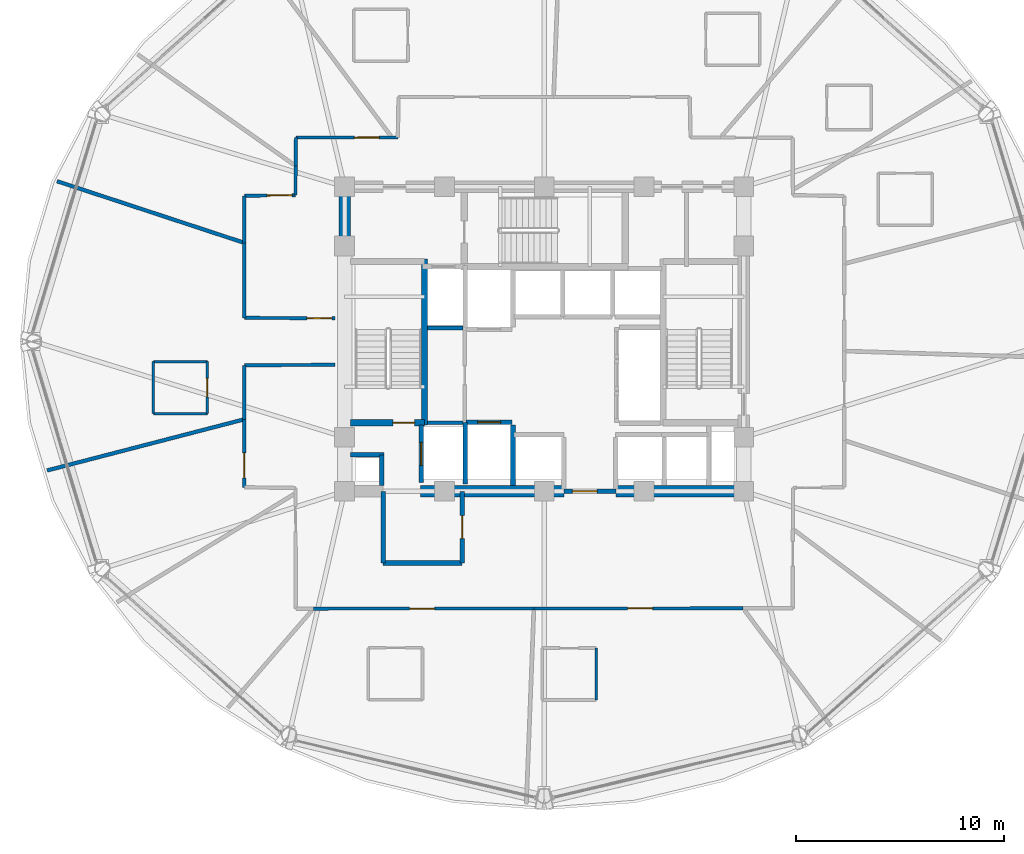
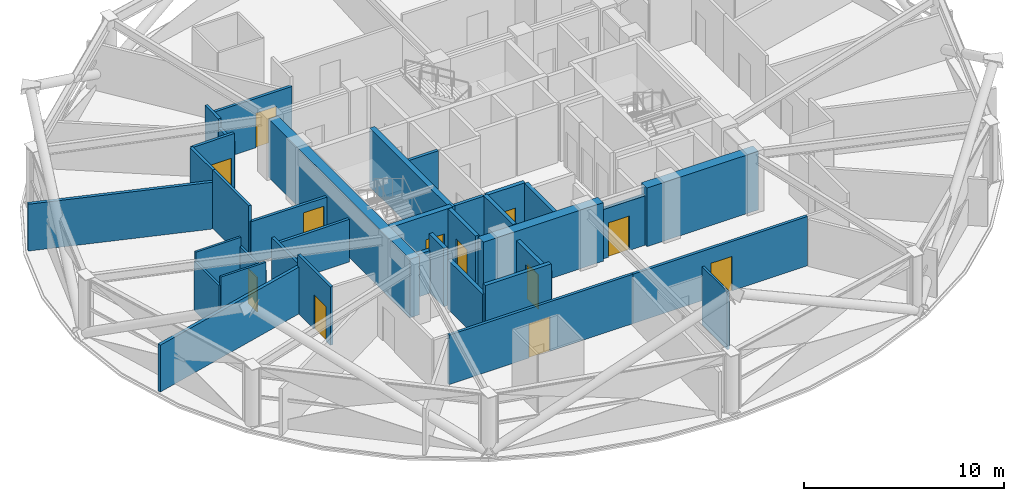
# One storey, part 22 of 29: 36 walls, 12 doors, 12 openings.
"""IFC4 building model written with IfcOpenShell, lengths in metres."""

import ifcopenshell
import ifcopenshell.guid

model = None  # the IFC model being written
_history = None  # IfcOwnerHistory: only IFC2X3 demands one
_inside = {}  # id of a spatial element -> (the spatial element, [elements in it])
_under = {}  # id of a project, library or spatial element -> (it, [spatial elements below it])
_declared = {}  # id of a project -> (the project, [libraries it declares])
_typed = {}  # id of a type object -> (the type object, [elements of that type])
_made_of = {}  # id of a material, layer set ... -> (it, [elements and type objects made of it])


def new_model(schema):
    """Start an empty IFC model of exactly this schema.

    Asked for "IFC4X3", IfcOpenShell would pick the latest addendum, in which some entities
    have other attributes; the version numbers below select the first issue.
    IFC2X3 requires an IfcOwnerHistory on every rooted entity: one is made here for all.
    """
    global model, _history
    if schema == "IFC4X3":
        model = ifcopenshell.file(schema_version=(4, 3, 0, 0))
    else:
        model = ifcopenshell.file(schema=schema)
    _inside.clear()
    _under.clear()
    _declared.clear()
    _typed.clear()
    _made_of.clear()
    _history = None
    if model.schema == "IFC2X3":
        org = make("IfcOrganization", Name="unknown")
        user = make(
            "IfcPersonAndOrganization",
            ThePerson=make("IfcPerson", FamilyName="unknown"),
            TheOrganization=org,
        )
        app = make(
            "IfcApplication",
            ApplicationDeveloper=org,
            Version="unknown",
            ApplicationFullName="unknown",
            ApplicationIdentifier="unknown",
        )
        _history = make(
            "IfcOwnerHistory",
            OwningUser=user,
            OwningApplication=app,
            ChangeAction="ADDED",
            CreationDate=0,
        )
    return model


def make(cls, **values):
    """One entity of the class cls with the attributes given. An attribute that is None is left unset."""
    return model.create_entity(
        cls, **{name: value for name, value in values.items() if value is not None}
    )


def rooted(cls, **values):
    """An entity with a GlobalId (a new one), such as an element, a storey or a relation."""
    return make(cls, GlobalId=ifcopenshell.guid.new(), OwnerHistory=_history, **values)


def si_unit(unit_type, name, prefix=None):
    """IfcSIUnit, for example si_unit("LENGTHUNIT", "METRE", prefix="MILLI")."""
    return make("IfcSIUnit", UnitType=unit_type, Prefix=prefix, Name=name)


def assignment(units):
    """IfcUnitAssignment: the units of a project."""
    return None if units is None else make("IfcUnitAssignment", Units=units)


def point(xyz):
    """IfcCartesianPoint."""
    return None if xyz is None else make("IfcCartesianPoint", Coordinates=xyz)


def direction(xyz):
    """IfcDirection."""
    return None if xyz is None else make("IfcDirection", DirectionRatios=xyz)


def frame(location, z_axis=None, x_axis=None):
    """IfcAxis2Placement3D, a coordinate frame: its origin and axes. An axis left out is left unset."""
    return make(
        "IfcAxis2Placement3D",
        Location=point(location),
        Axis=direction(z_axis),
        RefDirection=direction(x_axis),
    )


def frame_2d(location, x_axis=None):
    """IfcAxis2Placement2D, a coordinate frame in the plane: its origin and x axis."""
    return make(
        "IfcAxis2Placement2D", Location=point(location), RefDirection=direction(x_axis)
    )


def origin():
    """The frame at (0, 0, 0) with its axes left unset."""
    return frame((0.0, 0.0, 0.0))


def place(relative_to, where):
    """IfcLocalPlacement: puts the frame where relative to a parent placement (None: the world)."""
    return make(
        "IfcLocalPlacement", PlacementRelTo=relative_to, RelativePlacement=where
    )


def context(
    kind, dimensions, precision=None, world=None, true_north=None, identifier=None
):
    """IfcGeometricRepresentationContext, for example the 3D "Model" context."""
    return make(
        "IfcGeometricRepresentationContext",
        ContextIdentifier=identifier,
        ContextType=kind,
        CoordinateSpaceDimension=dimensions,
        Precision=precision,
        WorldCoordinateSystem=world,
        TrueNorth=true_north,
    )


def subcontext(parent, identifier, kind, view, scale=None):
    """IfcGeometricRepresentationSubContext, for example "Body" below "Model"."""
    return make(
        "IfcGeometricRepresentationSubContext",
        ContextIdentifier=identifier,
        ContextType=kind,
        ParentContext=parent,
        TargetScale=scale,
        TargetView=view,
    )


def project(units=None, contexts=None):
    """IfcProject with its units and contexts."""
    return rooted(
        "IfcProject",
        Name="project",
        RepresentationContexts=contexts,
        UnitsInContext=assignment(units),
    )


def spatial(cls, under=None, at=None, **own):
    """A site, building, storey or space (cls), placed at a placement, below another one or the project."""
    s = rooted(cls, ObjectPlacement=at, **own)
    if under is not None:
        _under.setdefault(under.id(), (under, []))[1].append(s)
    return s


def profile(cls, at=None, kind="AREA", **sizes):
    """A parametric profile (cls). Its sizes go by their IFC names, for example OverallWidth=200.0."""
    return make(cls, ProfileType=kind, Position=at, **sizes)


def rectangle(**sizes):
    """IfcRectangleProfileDef."""
    return profile("IfcRectangleProfileDef", **sizes)


def extrude(swept, where, along, depth):
    """IfcExtrudedAreaSolid: the profile swept, set in the frame where, extruded along a direction by depth."""
    return make(
        "IfcExtrudedAreaSolid",
        SweptArea=swept,
        Position=where,
        ExtrudedDirection=direction(along),
        Depth=depth,
    )


def shape(context_of_items, identifier, shape_type, items):
    """IfcShapeRepresentation: the items that make up one representation, for example the "Body"."""
    return make(
        "IfcShapeRepresentation",
        ContextOfItems=context_of_items,
        RepresentationIdentifier=identifier,
        RepresentationType=shape_type,
        Items=items,
    )


def material(Name=None, Category=None):
    """IfcMaterial."""
    return make("IfcMaterial", Name=Name, Category=Category)


def layer(
    of_material, thickness, ventilated=None, Name=None, Category=None, Priority=None
):
    """IfcMaterialLayer: one layer of a wall or slab, of a material (None: an air gap)."""
    return make(
        "IfcMaterialLayer",
        Material=of_material,
        LayerThickness=thickness,
        IsVentilated=ventilated,
        Name=Name,
        Category=Category,
        Priority=Priority,
    )


def layer_set(layers, Name=None):
    """IfcMaterialLayerSet."""
    return make("IfcMaterialLayerSet", MaterialLayers=layers, LayerSetName=Name)


def made_of(thing, what):
    """Note that an element or type object is made of a material, layer set ...; save() writes the relation."""
    if what is not None:
        _made_of.setdefault(what.id(), (what, []))[1].append(thing)
    return thing


def type_object(cls, material=None, **own):
    """A type object (cls), such as IfcWallType, which elements share."""
    return made_of(rooted(cls, **own), material)


def element(
    cls,
    number,
    at=None,
    inside=None,
    cuts=None,
    type_object=None,
    material=None,
    context=None,
    identifier="Body",
    shape_type=None,
    held_by="IfcProductDefinitionShape",
    body=None,
    shapes=None,
    **own,
):
    """One element of the class cls, such as IfcWall. Its Tag is "e" and its number.

    at: its placement. inside: the storey or other place that contains it. cuts: it is an
    opening in that element (IfcRelVoidsElement). A single representation is given by context,
    identifier, shape_type and body (its items); several are given by shapes. held_by: the class
    of the entity that holds the representations. save() writes the other relations.
    """
    e = rooted(cls, Tag="e%d" % number, ObjectPlacement=at, **own)
    if body is not None:
        shapes = [shape(context, identifier, shape_type, body)]
    if shapes is not None:
        e.Representation = make(held_by, Representations=shapes)
    if inside is not None:
        _inside.setdefault(inside.id(), (inside, []))[1].append(e)
    if cuts is not None:
        rooted(
            "IfcRelVoidsElement", RelatingBuildingElement=cuts, RelatedOpeningElement=e
        )
    if type_object is not None:
        _typed.setdefault(type_object.id(), (type_object, []))[1].append(e)
    return made_of(e, material)


def fill(opening, filler):
    """IfcRelFillsElement: the door or window that sits in an opening."""
    return rooted(
        "IfcRelFillsElement",
        RelatingOpeningElement=opening,
        RelatedBuildingElement=filler,
    )


def aggregate(whole, parts):
    """IfcRelAggregates: a whole, such as a stair, and the parts it consists of."""
    return rooted("IfcRelAggregates", RelatingObject=whole, RelatedObjects=parts)


def save(model, path):
    """Write the relations noted so far, then the file.

    IfcRelAggregates (storeys below a building ...), IfcRelContainedInSpatialStructure (elements
    in a storey), IfcRelDefinesByType, IfcRelAssociatesMaterial and IfcRelDeclares: one each for
    every whole, place, type object, material and project.
    """
    for whole, parts in _under.values():
        aggregate(whole, parts)
    for where, things in _inside.values():
        rooted(
            "IfcRelContainedInSpatialStructure",
            RelatedElements=things,
            RelatingStructure=where,
        )
    for kind, things in _typed.values():
        rooted("IfcRelDefinesByType", RelatedObjects=things, RelatingType=kind)
    for what, things in _made_of.values():
        rooted("IfcRelAssociatesMaterial", RelatedObjects=things, RelatingMaterial=what)
    for by, libraries in _declared.values():
        rooted("IfcRelDeclares", RelatingContext=by, RelatedDefinitions=libraries)
    model.write(path)


model = new_model("IFC4")

# Units and contexts
model_context = context("Model", 3, precision=1e-05, world=origin(), true_north=direction((0.0, 1.0)))
body_context = subcontext(model_context, "Body", "Model", "MODEL_VIEW")
ifc_project = project(units=[si_unit("LENGTHUNIT", "METRE"), si_unit("AREAUNIT", "SQUARE_METRE"), si_unit("VOLUMEUNIT", "CUBIC_METRE"), si_unit("PLANEANGLEUNIT", "RADIAN"), si_unit("MASSUNIT", "GRAM", prefix="KILO")], contexts=[model_context])

# Site, building, storey
site_placement = place(None, origin())
site = spatial("IfcSite", under=ifc_project, at=site_placement, CompositionType="ELEMENT")
building_placement = place(site_placement, origin())
building = spatial("IfcBuilding", under=site, at=building_placement, Name="Vantalir Tower", CompositionType="ELEMENT")
storey_placement = place(building_placement, frame((0.0, 0.0, 164.699951171875)))
storey = spatial("IfcBuildingStorey", under=building, at=storey_placement, Name="L41", CompositionType="ELEMENT", Elevation=164.699951171875)

# Walls
ifc_material_1 = material(Name="Moisture-resistant en-suite partition", Category="gypsum")
ifc_layer_1 = layer(ifc_material_1, 0.125)
ifc_layer_set_1 = layer_set([ifc_layer_1], Name="Moisture-resistant en-suite partition")
wall_type_1 = type_object("IfcWallType", Name="WL-BATH-125", PredefinedType="PARTITIONING", material=ifc_layer_set_1)
for number, where, z_axis, x_axis, name in (
    (1, (12.697998046875, 21.534912109375, 0.0), (0.0, 0.0, 1.0), (1.0, 0.0, 0.0), "L41 En-suite 07 South Wall"),
    (2, (12.697998046875, 24.034912109375, 0.0), (0.0, 0.0, 1.0), (1.0, 0.0, 0.0), "L41 En-suite 07 North Wall"),
):
    element("IfcWall", number, at=place(storey_placement, frame(where, z_axis=z_axis, x_axis=x_axis)), inside=storey, type_object=wall_type_1, Name=name, PredefinedType="PARTITIONING", context=body_context, shape_type="SweptSolid", body=[
        extrude(rectangle(XDim=2.60009765625, YDim=0.125, at=frame_2d((1.300048828125, 0.0))), origin(), (0.0, 0.0, 1.0), 3.550048828125),
    ])
wall_1_placement = place(storey_placement, frame((12.697998046875, 21.534912109375, 0.0), z_axis=(0.0, 0.0, 1.0), x_axis=(0.0, 1.0, 0.0)))
element("IfcWall", 3, at=wall_1_placement, inside=storey, type_object=wall_type_1, Name="L41 En-suite 07 West Wall", PredefinedType="PARTITIONING", context=body_context, shape_type="SweptSolid", body=[
    extrude(rectangle(XDim=2.5, YDim=0.125, at=frame_2d((1.25, 0.0))), origin(), (0.0, 0.0, 1.0), 3.006103515625),
])

# Wall, opening, door
wall_2_placement = place(storey_placement, frame((15.298095703125, 21.534912109375, 0.0), z_axis=(0.0, 0.0, 1.0), x_axis=(0.0, 1.0, 0.0)))
wall_2 = element("IfcWall", 4, at=wall_2_placement, inside=storey, type_object=wall_type_1, Name="L41 En-suite 07 East Wall", PredefinedType="PARTITIONING", context=body_context, shape_type="SweptSolid", body=[
    extrude(rectangle(XDim=2.5, YDim=0.125, at=frame_2d((1.25, 0.0))), origin(), (0.0, 0.0, 1.0), 3.006103515625),
])
opening_1_placement = place(wall_2_placement, frame((0.800048828125, 0.0, 0.0)))
opening_1 = element("IfcOpeningElement", 5, at=opening_1_placement, cuts=wall_2, Name="Opening D-WC", PredefinedType="OPENING", context=body_context, shape_type="SweptSolid", body=[
    extrude(rectangle(XDim=0.89990234375, YDim=2.10009765625, at=frame_2d((0.449951171875, 1.050048828125))), frame((0.0, 0.072509765625, 0.0), z_axis=(0.0, -1.0, 0.0), x_axis=(1.0, 0.0, 0.0)), (0.0, 0.0, 1.0), 0.14501953125),
])
ifc_material_2 = material(Name="Moisture-resistant hardwood door", Category="wood")
door_type_1 = type_object("IfcDoorType", Name="DR-ENSUITE-900", OperationType="NOTDEFINED", PredefinedType="DOOR", material=ifc_material_2)
door_1_placement = place(opening_1_placement, origin())
door_1 = element("IfcDoor", 6, at=door_1_placement, inside=storey, type_object=door_type_1, Name="L41 En-suite 07 Door", OperationType="SINGLE_SWING_LEFT", OverallHeight=2.10009765625, OverallWidth=0.89990234375, PredefinedType="DOOR", context=body_context, shape_type="SweptSolid", body=[
    extrude(rectangle(XDim=0.89990234375, YDim=2.10009765625, at=frame_2d((0.449951171875, 1.050048828125))), frame((0.0, 0.02490234375, 0.0), z_axis=(0.0, -1.0, 0.0), x_axis=(1.0, 0.0, 0.0)), (0.0, 0.0, 1.0), 0.050048828125),
])
fill(opening_1, door_1)

# Walls
wall_3_placement = place(storey_placement, frame((34.001953125, 7.760009765625, 0.0), z_axis=(0.0, 0.0, 1.0), x_axis=(0.0, 1.0, 0.0)))
element("IfcWall", 7, at=wall_3_placement, inside=storey, type_object=wall_type_1, Name="L41 En-suite 11 East Wall", PredefinedType="PARTITIONING", context=body_context, shape_type="SweptSolid", body=[
    extrude(rectangle(XDim=2.5, YDim=0.125, at=frame_2d((1.25, 0.0))), origin(), (0.0, 0.0, 1.0), 3.550048828125),
])
ifc_material_3 = material(Name="Concrete C60/75", Category="concrete")
ifc_layer_2 = layer(ifc_material_3, 0.550048828125)
ifc_layer_set_2 = layer_set([ifc_layer_2], Name="Concrete C60/75")
wall_type_2 = type_object("IfcWallType", Name="WL-CORE-550", PredefinedType="SHEAR", material=ifc_layer_set_2)
wall_4_placement = place(storey_placement, frame((25.550048828125, 17.800048828125, 0.0), z_axis=(0.0, 0.0, 1.0), x_axis=(1.0, 0.0, 0.0)))
element("IfcWall", 8, at=wall_4_placement, inside=storey, type_object=wall_type_2, Name="L41 Core Shear Wall South-Mid", PredefinedType="SHEAR", context=body_context, shape_type="SweptSolid", body=[
    extrude(rectangle(XDim=6.89990234375, YDim=0.550048828125, at=frame_2d((3.449951171875, 0.0))), origin(), (0.0, 0.0, 1.0), 3.570068359375),
])
wall_5_placement = place(storey_placement, frame((34.949951171875, 17.800048828125, 0.0), z_axis=(0.0, 0.0, 1.0), x_axis=(1.0, 0.0, 0.0)))
element("IfcWall", 9, at=wall_5_placement, inside=storey, type_object=wall_type_2, Name="L41 Core Shear Wall South-East", PredefinedType="SHEAR", context=body_context, shape_type="SweptSolid", body=[
    extrude(rectangle(XDim=6.425048828125, YDim=0.550048828125, at=frame_2d((3.21240234375, 0.0))), origin(), (0.0, 0.0, 1.0), 3.570068359375),
])
wall_6_placement = place(storey_placement, frame((21.89990234375, 18.074951171875, 0.0), z_axis=(0.0, 0.0, 1.0), x_axis=(0.0, 1.0, 0.0)))
element("IfcWall", 10, at=wall_6_placement, inside=storey, type_object=wall_type_2, Name="L41 Core Shear Wall West", PredefinedType="SHEAR", context=body_context, shape_type="SweptSolid", body=[
    extrude(rectangle(XDim=14.10009765625, YDim=0.550048828125, at=frame_2d((7.050048828125, 0.0))), origin(), (0.0, 0.0, 1.0), 3.570068359375),
])

# Wall, opening, door
ifc_material_4 = material(Name="Fire-rated hotel corridor acoustic partition", Category="gypsum")
ifc_layer_3 = layer(ifc_material_4, 0.159912109375)
ifc_layer_set_3 = layer_set([ifc_layer_3], Name="Fire-rated hotel corridor acoustic partition")
wall_type_3 = type_object("IfcWallType", Name="WL-CORR-160", PredefinedType="PARTITIONING", material=ifc_layer_set_3)
wall_7_placement = place(storey_placement, frame((21.445068359375, 26.115966796875, 0.0), z_axis=(0.0, 0.0, 1.0), x_axis=(-0.99998212632, 0.005978882852, 0.0)))
wall_7 = element("IfcWall", 11, at=wall_7_placement, inside=storey, type_object=wall_type_3, Name="L41 Corridor Partition 01", PredefinedType="PARTITIONING", context=body_context, shape_type="SweptSolid", body=[
    extrude(rectangle(XDim=4.369140625, YDim=0.159912109375, at=frame_2d((2.1845703125, 0.0))), origin(), (0.0, 0.0, 1.0), 2.594970703125),
])
opening_2_placement = place(wall_7_placement, frame((0.159912109375, 0.0, 0.0)))
opening_2 = element("IfcOpeningElement", 12, at=opening_2_placement, cuts=wall_7, Name="Opening D-STE", PredefinedType="OPENING", context=body_context, shape_type="SweptSolid", body=[
    extrude(rectangle(XDim=1.199951171875, YDim=2.10009765625, at=frame_2d((0.60009765625, 1.050048828125))), frame((0.0, 0.08984375, 0.0), z_axis=(0.0, -1.0, 0.0), x_axis=(1.0, 0.0, 0.0)), (0.0, 0.0, 1.0), 0.179931640625),
])
ifc_material_5 = material(Name="Solid-core teak veneer suite entrance door", Category="wood")
door_type_2 = type_object("IfcDoorType", Name="DR-SUITE-ENTRY-1200", OperationType="NOTDEFINED", PredefinedType="DOOR", material=ifc_material_5)
door_2_placement = place(opening_2_placement, origin())
door_2 = element("IfcDoor", 13, at=door_2_placement, inside=storey, type_object=door_type_2, Name="L41 Corner Panorama Hotel Suite 07 Door", OperationType="SINGLE_SWING_RIGHT", OverallHeight=2.10009765625, OverallWidth=1.199951171875, PredefinedType="DOOR", context=body_context, shape_type="SweptSolid", body=[
    extrude(rectangle(XDim=1.199951171875, YDim=2.10009765625, at=frame_2d((0.60009765625, 1.050048828125))), frame((0.0, 0.02490234375, 0.0), z_axis=(0.0, -1.0, 0.0), x_axis=(1.0, 0.0, 0.0)), (0.0, 0.0, 1.0), 0.050048828125),
])
fill(opening_2, door_2)

# Walls
wall_8_placement = place(storey_placement, frame((17.075927734375, 26.14208984375, 0.0), z_axis=(0.0, 0.0, 1.0), x_axis=(0.0, 1.0, 0.0)))
element("IfcWall", 14, at=wall_8_placement, inside=storey, type_object=wall_type_3, Name="L41 Corridor Partition 02", PredefinedType="PARTITIONING", context=body_context, shape_type="SweptSolid", body=[
    extrude(rectangle(XDim=3.60595703125, YDim=0.159912109375, at=frame_2d((1.802978515625, 0.0))), origin(), (0.0, 0.0, 1.0), 3.550048828125),
])
wall_9_placement = place(storey_placement, frame((17.075927734375, 29.748046875, 0.0), z_axis=(0.0, 0.0, 1.0), x_axis=(0.000431359822, 0.999999906964, 0.0)))
element("IfcWall", 15, at=wall_9_placement, inside=storey, type_object=wall_type_3, Name="L41 Corridor Partition 03", PredefinedType="PARTITIONING", context=body_context, shape_type="SweptSolid", body=[
    extrude(rectangle(XDim=2.263916015625, YDim=0.159912109375, at=frame_2d((1.1318359375, 0.0))), origin(), (0.0, 0.0, 1.0), 3.550048828125),
])

# Wall, opening, door
wall_10_placement = place(storey_placement, frame((17.076904296875, 32.011962890625, 0.0), z_axis=(0.0, 0.0, 1.0), x_axis=(0.999934771592, 0.011421583108, 0.0)))
wall_10 = element("IfcWall", 16, at=wall_10_placement, inside=storey, type_object=wall_type_3, Name="L41 Corridor Partition 04", PredefinedType="PARTITIONING", context=body_context, shape_type="SweptSolid", body=[
    extrude(rectangle(XDim=2.458251953125, YDim=0.159912109375, at=frame_2d((1.22900390625, 0.0))), origin(), (0.0, 0.0, 1.0), 3.550048828125),
])
opening_3_placement = place(wall_10_placement, frame((1.097900390625, 0.0, 0.0)))
opening_3 = element("IfcOpeningElement", 17, at=opening_3_placement, cuts=wall_10, Name="Opening D-STE", PredefinedType="OPENING", context=body_context, shape_type="SweptSolid", body=[
    extrude(rectangle(XDim=1.199951171875, YDim=2.10009765625, at=frame_2d((0.60009765625, 1.050048828125))), frame((0.0, 0.08984375, 0.0), z_axis=(0.0, -1.0, 0.0), x_axis=(1.0, 0.0, 0.0)), (0.0, 0.0, 1.0), 0.179931640625),
])
door_3_placement = place(opening_3_placement, origin())
door_3 = element("IfcDoor", 18, at=door_3_placement, inside=storey, type_object=door_type_2, Name="L41 Executive Sky Boardroom 06 Door", OperationType="SINGLE_SWING_LEFT", OverallHeight=2.10009765625, OverallWidth=1.199951171875, PredefinedType="DOOR", context=body_context, shape_type="SweptSolid", body=[
    extrude(rectangle(XDim=1.199951171875, YDim=2.10009765625, at=frame_2d((0.60009765625, 1.050048828125))), frame((0.0, 0.02490234375, 0.0), z_axis=(0.0, -1.0, 0.0), x_axis=(1.0, 0.0, 0.0)), (0.0, 0.0, 1.0), 0.050048828125),
])
fill(opening_3, door_3)

# Walls
wall_11_placement = place(storey_placement, frame((19.534912109375, 32.0400390625, 0.0), z_axis=(0.0, 0.0, 1.0), x_axis=(0.009382732056, 0.999955981201, 0.0)))
element("IfcWall", 19, at=wall_11_placement, inside=storey, type_object=wall_type_3, Name="L41 Corridor Partition 05", PredefinedType="PARTITIONING", context=body_context, shape_type="SweptSolid", body=[
    extrude(rectangle(XDim=1.405029296875, YDim=0.159912109375, at=frame_2d((0.70263671875, 0.0))), origin(), (0.0, 0.0, 1.0), 3.006103515625),
])
wall_12_placement = place(storey_placement, frame((19.548095703125, 33.445068359375, 0.0), z_axis=(0.0, 0.0, 1.0), x_axis=(0.008751227658, 0.999961707274, 0.0)))
element("IfcWall", 20, at=wall_12_placement, inside=storey, type_object=wall_type_3, Name="L41 Corridor Partition 06", PredefinedType="PARTITIONING", context=body_context, shape_type="SweptSolid", body=[
    extrude(rectangle(XDim=1.366943359375, YDim=0.159912109375, at=frame_2d((0.68359375, 0.0))), origin(), (0.0, 0.0, 1.0), 3.550048828125),
])

# Wall, opening, door
wall_13_placement = place(storey_placement, frame((19.56005859375, 34.81201171875, 0.0), z_axis=(0.0, 0.0, 1.0), x_axis=(0.999999821253, 0.000597907217, 0.0)))
wall_13 = element("IfcWall", 21, at=wall_13_placement, inside=storey, type_object=wall_type_3, Name="L41 Corridor Partition 07", PredefinedType="PARTITIONING", context=body_context, shape_type="SweptSolid", body=[
    extrude(rectangle(XDim=4.89990234375, YDim=0.159912109375, at=frame_2d((2.449951171875, 0.0))), origin(), (0.0, 0.0, 1.0), 3.006103515625),
])
opening_4_placement = place(wall_13_placement, frame((2.804931640625, 0.0, 0.0)))
opening_4 = element("IfcOpeningElement", 22, at=opening_4_placement, cuts=wall_13, Name="Opening D-STE", PredefinedType="OPENING", context=body_context, shape_type="SweptSolid", body=[
    extrude(rectangle(XDim=1.199951171875, YDim=2.10009765625, at=frame_2d((0.60009765625, 1.050048828125))), frame((0.0, 0.08984375, 0.0), z_axis=(0.0, -1.0, 0.0), x_axis=(1.0, 0.0, 0.0)), (0.0, 0.0, 1.0), 0.179931640625),
])
door_4_placement = place(opening_4_placement, origin())
door_4 = element("IfcDoor", 23, at=door_4_placement, inside=storey, type_object=door_type_2, Name="L41 Club Reading Lounge 05 Door", OperationType="SINGLE_SWING_RIGHT", OverallHeight=2.10009765625, OverallWidth=1.199951171875, PredefinedType="DOOR", context=body_context, shape_type="SweptSolid", body=[
    extrude(rectangle(XDim=1.199951171875, YDim=2.10009765625, at=frame_2d((0.60009765625, 1.050048828125))), frame((0.0, 0.02490234375, 0.0), z_axis=(0.0, -1.0, 0.0), x_axis=(1.0, 0.0, 0.0)), (0.0, 0.0, 1.0), 0.050048828125),
])
fill(opening_4, door_4)

wall_14_placement = place(storey_placement, frame((41.072021484375, 12.1669921875, 0.0), z_axis=(0.0, 0.0, 1.0), x_axis=(-0.999999882398, -0.000484977755, 0.0)))
wall_14 = element("IfcWall", 24, at=wall_14_placement, inside=storey, type_object=wall_type_3, Name="L41 Corridor Partition 24", PredefinedType="PARTITIONING", context=body_context, shape_type="SweptSolid", body=[
    extrude(rectangle(XDim=10.068115234375, YDim=0.159912109375, at=frame_2d((5.0341796875, 0.0))), origin(), (0.0, 0.0, 1.0), 3.006103515625),
])
opening_5_placement = place(wall_14_placement, frame((4.35888671875, 0.0, 0.0)))
opening_5 = element("IfcOpeningElement", 25, at=opening_5_placement, cuts=wall_14, Name="Opening D-STE", PredefinedType="OPENING", context=body_context, shape_type="SweptSolid", body=[
    extrude(rectangle(XDim=1.199951171875, YDim=2.10009765625, at=frame_2d((0.60009765625, 1.050048828125))), frame((0.0, 0.08984375, 0.0), z_axis=(0.0, -1.0, 0.0), x_axis=(1.0, 0.0, 0.0)), (0.0, 0.0, 1.0), 0.179931640625),
])
door_5_placement = place(opening_5_placement, origin())
door_5 = element("IfcDoor", 26, at=door_5_placement, inside=storey, type_object=door_type_2, Name="L41 Executive Club Hotel Suite 11 Door", OperationType="SINGLE_SWING_RIGHT", OverallHeight=2.10009765625, OverallWidth=1.199951171875, PredefinedType="DOOR", context=body_context, shape_type="SweptSolid", body=[
    extrude(rectangle(XDim=1.199951171875, YDim=2.10009765625, at=frame_2d((0.60009765625, 1.050048828125))), frame((0.0, 0.02490234375, 0.0), z_axis=(0.0, -1.0, 0.0), x_axis=(1.0, 0.0, 0.0)), (0.0, 0.0, 1.0), 0.050048828125),
])
fill(opening_5, door_5)

wall_15_placement = place(storey_placement, frame((31.00390625, 12.162109375, 0.0), z_axis=(0.0, 0.0, 1.0), x_axis=(-0.999999883026, -0.000483681451, 0.0)))
wall_15 = element("IfcWall", 27, at=wall_15_placement, inside=storey, type_object=wall_type_3, Name="L41 Corridor Partition 25", PredefinedType="PARTITIONING", context=body_context, shape_type="SweptSolid", body=[
    extrude(rectangle(XDim=10.599853515625, YDim=0.159912109375, at=frame_2d((5.2998046875, 0.0))), origin(), (0.0, 0.0, 1.0), 3.006103515625),
])
opening_6_placement = place(wall_15_placement, frame((4.77392578125, 0.0, 0.0)))
opening_6 = element("IfcOpeningElement", 28, at=opening_6_placement, cuts=wall_15, Name="Opening D-STE", PredefinedType="OPENING", context=body_context, shape_type="SweptSolid", body=[
    extrude(rectangle(XDim=1.199951171875, YDim=2.10009765625, at=frame_2d((0.60009765625, 1.050048828125))), frame((0.0, 0.08984375, 0.0), z_axis=(0.0, -1.0, 0.0), x_axis=(1.0, 0.0, 0.0)), (0.0, 0.0, 1.0), 0.179931640625),
])
door_6_placement = place(opening_6_placement, origin())
door_6 = element("IfcDoor", 29, at=door_6_placement, inside=storey, type_object=door_type_2, Name="L41 Corner Panorama Hotel Suite 10 Door", OperationType="SINGLE_SWING_LEFT", OverallHeight=2.10009765625, OverallWidth=1.199951171875, PredefinedType="DOOR", context=body_context, shape_type="SweptSolid", body=[
    extrude(rectangle(XDim=1.199951171875, YDim=2.10009765625, at=frame_2d((0.60009765625, 1.050048828125))), frame((0.0, 0.02490234375, 0.0), z_axis=(0.0, -1.0, 0.0), x_axis=(1.0, 0.0, 0.0)), (0.0, 0.0, 1.0), 0.050048828125),
])
fill(opening_6, door_6)

wall_16_placement = place(storey_placement, frame((17.075927734375, 17.991943359375, 0.0), z_axis=(0.0, 0.0, 1.0), x_axis=(0.0, 1.0, 0.0)))
wall_16 = element("IfcWall", 30, at=wall_16_placement, inside=storey, type_object=wall_type_3, Name="L41 Corridor Partition 29", PredefinedType="PARTITIONING", context=body_context, shape_type="SweptSolid", body=[
    extrude(rectangle(XDim=3.26806640625, YDim=0.159912109375, at=frame_2d((1.634033203125, 0.0))), origin(), (0.0, 0.0, 1.0), 3.550048828125),
])
opening_7_placement = place(wall_16_placement, frame((0.450927734375, 0.0, 0.0)))
opening_7 = element("IfcOpeningElement", 31, at=opening_7_placement, cuts=wall_16, Name="Opening D-STE", PredefinedType="OPENING", context=body_context, shape_type="SweptSolid", body=[
    extrude(rectangle(XDim=1.199951171875, YDim=2.10009765625, at=frame_2d((0.60009765625, 1.050048828125))), frame((0.0, 0.08984375, 0.0), z_axis=(0.0, -1.0, 0.0), x_axis=(1.0, 0.0, 0.0)), (0.0, 0.0, 1.0), 0.179931640625),
])
door_7_placement = place(opening_7_placement, origin())
door_7 = element("IfcDoor", 32, at=door_7_placement, inside=storey, type_object=door_type_2, Name="L41 Club Reading Lounge 08 Door", OperationType="SINGLE_SWING_LEFT", OverallHeight=2.10009765625, OverallWidth=1.199951171875, PredefinedType="DOOR", context=body_context, shape_type="SweptSolid", body=[
    extrude(rectangle(XDim=1.199951171875, YDim=2.10009765625, at=frame_2d((0.60009765625, 1.050048828125))), frame((0.0, 0.02490234375, 0.0), z_axis=(0.0, -1.0, 0.0), x_axis=(1.0, 0.0, 0.0)), (0.0, 0.0, 1.0), 0.050048828125),
])
fill(opening_7, door_7)

# Walls
wall_17_placement = place(storey_placement, frame((17.075927734375, 21.260009765625, 0.0), z_axis=(0.0, 0.0, 1.0), x_axis=(0.0, 1.0, 0.0)))
element("IfcWall", 33, at=wall_17_placement, inside=storey, type_object=wall_type_3, Name="L41 Corridor Partition 30", PredefinedType="PARTITIONING", context=body_context, shape_type="SweptSolid", body=[
    extrude(rectangle(XDim=2.597900390625, YDim=0.159912109375, at=frame_2d((1.298828125, 0.0))), origin(), (0.0, 0.0, 1.0), 3.006103515625),
])
wall_18_placement = place(storey_placement, frame((17.075927734375, 23.85791015625, 0.0), z_axis=(0.0, 0.0, 1.0), x_axis=(0.99998212632, 0.005978882852, 0.0)))
element("IfcWall", 34, at=wall_18_placement, inside=storey, type_object=wall_type_3, Name="L41 Corridor Partition 31", PredefinedType="PARTITIONING", context=body_context, shape_type="SweptSolid", body=[
    extrude(rectangle(XDim=4.369140625, YDim=0.159912109375, at=frame_2d((2.1845703125, 0.0))), origin(), (0.0, 0.0, 1.0), 2.594970703125),
])
ifc_material_6 = material(Name="Concrete blockwork with fireboard lining", Category="masonry")
ifc_layer_4 = layer(ifc_material_6, 0.219970703125)
ifc_layer_set_4 = layer_set([ifc_layer_4], Name="Concrete blockwork with fireboard lining")
wall_type_4 = type_object("IfcWallType", Name="WL-FFL-220", PredefinedType="PARTITIONING", material=ifc_layer_set_4)
wall_19_placement = place(storey_placement, frame((30.0, 18.080078125, 0.0), z_axis=(0.0, 0.0, 1.0), x_axis=(0.0, 1.0, 0.0)))
element("IfcWall", 35, at=wall_19_placement, inside=storey, type_object=wall_type_4, Name="L41 Service Lift SV1 East Shaft Wall", PredefinedType="PARTITIONING", context=body_context, shape_type="SweptSolid", body=[
    extrude(rectangle(XDim=2.89990234375, YDim=0.219970703125, at=frame_2d((1.449951171875, 0.0))), origin(), (0.0, 0.0, 1.0), 3.545166015625),
])

# Wall, opening, door
wall_20_placement = place(storey_placement, frame((32.449951171875, 17.800048828125, 0.0), z_axis=(0.0, 0.0, 1.0), x_axis=(1.0, 0.0, 0.0)))
wall_20 = element("IfcWall", 36, at=wall_20_placement, inside=storey, type_object=wall_type_4, Name="L41 Passenger Lift Lobby South Wall", PredefinedType="PARTITIONING", context=body_context, shape_type="SweptSolid", body=[
    extrude(rectangle(XDim=2.5, YDim=0.219970703125, at=frame_2d((1.25, 0.0))), origin(), (0.0, 0.0, 1.0), 3.006103515625),
])
opening_8_placement = place(wall_20_placement, frame((0.39990234375, 0.0, 0.0)))
opening_8 = element("IfcOpeningElement", 37, at=opening_8_placement, cuts=wall_20, Name="Opening D-STE", PredefinedType="OPENING", context=body_context, shape_type="SweptSolid", body=[
    extrude(rectangle(XDim=1.199951171875, YDim=2.10009765625, at=frame_2d((0.60009765625, 1.050048828125))), frame((0.0, 0.119873046875, 0.0), z_axis=(0.0, -1.0, 0.0), x_axis=(1.0, 0.0, 0.0)), (0.0, 0.0, 1.0), 0.239990234375),
])
door_8_placement = place(opening_8_placement, origin())
door_8 = element("IfcDoor", 38, at=door_8_placement, inside=storey, type_object=door_type_2, Name="L41 Passenger Lift Lobby Concourse Door", OperationType="SINGLE_SWING_RIGHT", OverallHeight=2.10009765625, OverallWidth=1.199951171875, PredefinedType="DOOR", context=body_context, shape_type="SweptSolid", body=[
    extrude(rectangle(XDim=1.199951171875, YDim=2.10009765625, at=frame_2d((0.60009765625, 1.050048828125))), frame((0.0, 0.02490234375, 0.0), z_axis=(0.0, -1.0, 0.0), x_axis=(1.0, 0.0, 0.0)), (0.0, 0.0, 1.0), 0.050048828125),
])
fill(opening_8, door_8)

# Walls
wall_21_placement = place(storey_placement, frame((23.679931640625, 18.074951171875, 0.0), z_axis=(0.0, 0.0, 1.0), x_axis=(0.0, 1.0, 0.0)))
element("IfcWall", 39, at=wall_21_placement, inside=storey, type_object=wall_type_4, Name="L41 West MEP Riser Wall E", PredefinedType="PARTITIONING", context=body_context, shape_type="SweptSolid", body=[
    extrude(rectangle(XDim=1.47509765625, YDim=0.219970703125, at=frame_2d((0.737548828125, 0.0))), origin(), (0.0, 0.0, 1.0), 3.550048828125),
])
wall_22_placement = place(storey_placement, frame((22.175048828125, 19.550048828125, 0.0), z_axis=(0.0, 0.0, 1.0), x_axis=(1.0, 0.0, 0.0)))
element("IfcWall", 40, at=wall_22_placement, inside=storey, type_object=wall_type_4, Name="L41 West MEP Riser Wall N", PredefinedType="PARTITIONING", context=body_context, shape_type="SweptSolid", body=[
    extrude(rectangle(XDim=1.614990234375, YDim=0.219970703125, at=frame_2d((0.8076171875, 0.0))), origin(), (0.0, 0.0, 1.0), 2.594970703125),
])

# Wall, opening, door
wall_23_placement = place(storey_placement, frame((25.590087890625, 18.219970703125, 0.0), z_axis=(0.0, 0.0, 1.0), x_axis=(0.0, 1.0, 0.0)))
wall_23 = element("IfcWall", 41, at=wall_23_placement, inside=storey, type_object=wall_type_4, Name="L41 Lift FL1 Shaft Front Wall", PredefinedType="PARTITIONING", context=body_context, shape_type="SweptSolid", body=[
    extrude(rectangle(XDim=2.760009765625, YDim=0.219970703125, at=frame_2d((1.3798828125, 0.0))), origin(), (0.0, 0.0, 1.0), 3.550048828125),
])
opening_9_placement = place(wall_23_placement, frame((0.830078125, 0.0, 0.0)))
opening_9 = element("IfcOpeningElement", 42, at=opening_9_placement, cuts=wall_23, Name="Opening LD-FL1", PredefinedType="OPENING", context=body_context, shape_type="SweptSolid", body=[
    extrude(rectangle(XDim=1.10009765625, YDim=2.199951171875, at=frame_2d((0.550048828125, 1.10009765625))), frame((0.0, 0.119873046875, 0.0), z_axis=(0.0, -1.0, 0.0), x_axis=(1.0, 0.0, 0.0)), (0.0, 0.0, 1.0), 0.239990234375),
])
ifc_material_7 = material(Name="Brushed stainless-steel sliding lift landing door", Category="steel")
door_type_3 = type_object("IfcDoorType", Name="DR-LIFT-LANDING-1100", OperationType="DOUBLE_DOOR_SLIDING", PredefinedType="DOOR", material=ifc_material_7)
door_9_placement = place(opening_9_placement, origin())
door_9 = element("IfcDoor", 43, at=door_9_placement, inside=storey, type_object=door_type_3, Name="L41 Lift Landing Door FL1", OperationType="DOUBLE_DOOR_SLIDING", OverallHeight=2.199951171875, OverallWidth=1.10009765625, PredefinedType="DOOR", context=body_context, shape_type="SweptSolid", body=[
    extrude(rectangle(XDim=1.10009765625, YDim=2.199951171875, at=frame_2d((0.550048828125, 1.10009765625))), frame((0.0, 0.02490234375, 0.0), z_axis=(0.0, -1.0, 0.0), x_axis=(1.0, 0.0, 0.0)), (0.0, 0.0, 1.0), 0.050048828125),
])
fill(opening_9, door_9)

wall_24_placement = place(storey_placement, frame((27.739990234375, 21.110107421875, 0.0), z_axis=(0.0, 0.0, 1.0), x_axis=(1.0, 0.0, 0.0)))
wall_24 = element("IfcWall", 44, at=wall_24_placement, inside=storey, type_object=wall_type_4, Name="L41 Lift SV1 Shaft Front Wall", PredefinedType="PARTITIONING", context=body_context, shape_type="SweptSolid", body=[
    extrude(rectangle(XDim=2.219970703125, YDim=0.219970703125, at=frame_2d((1.10986328125, 0.0))), origin(), (0.0, 0.0, 1.0), 3.550048828125),
])
opening_10_placement = place(wall_24_placement, frame((0.56005859375, 0.0, 0.0)))
opening_10 = element("IfcOpeningElement", 45, at=opening_10_placement, cuts=wall_24, Name="Opening LD-SV1", PredefinedType="OPENING", context=body_context, shape_type="SweptSolid", body=[
    extrude(rectangle(XDim=1.10009765625, YDim=2.199951171875, at=frame_2d((0.550048828125, 1.10009765625))), frame((0.0, 0.119873046875, 0.0), z_axis=(0.0, -1.0, 0.0), x_axis=(1.0, 0.0, 0.0)), (0.0, 0.0, 1.0), 0.239990234375),
])
door_10_placement = place(opening_10_placement, origin())
door_10 = element("IfcDoor", 46, at=door_10_placement, inside=storey, type_object=door_type_3, Name="L41 Lift Landing Door SV1", OperationType="DOUBLE_DOOR_SLIDING", OverallHeight=2.199951171875, OverallWidth=1.10009765625, PredefinedType="DOOR", context=body_context, shape_type="SweptSolid", body=[
    extrude(rectangle(XDim=1.10009765625, YDim=2.199951171875, at=frame_2d((0.550048828125, 1.10009765625))), frame((0.0, 0.02490234375, 0.0), z_axis=(0.0, -1.0, 0.0), x_axis=(1.0, 0.0, 0.0)), (0.0, 0.0, 1.0), 0.050048828125),
])
fill(opening_10, door_10)

# Walls
wall_25_placement = place(storey_placement, frame((27.699951171875, 18.14990234375, 0.0), z_axis=(0.0, 0.0, 1.0), x_axis=(0.0, 1.0, 0.0)))
element("IfcWall", 47, at=wall_25_placement, inside=storey, type_object=wall_type_4, Name="L41 Fire Lift FL1 Dividing Wall", PredefinedType="PARTITIONING", context=body_context, shape_type="SweptSolid", body=[
    extrude(rectangle(XDim=2.9501953125, YDim=0.219970703125, at=frame_2d((1.47509765625, 0.0))), origin(), (0.0, 0.0, 1.0), 3.550048828125),
])
wall_26_placement = place(storey_placement, frame((23.75, 14.35009765625, 0.0), z_axis=(0.0, 0.0, 1.0), x_axis=(0.0, 1.0, 0.0)))
element("IfcWall", 48, at=wall_26_placement, inside=storey, type_object=wall_type_4, Name="L41 Firefighting Lobby West Outer W", PredefinedType="PARTITIONING", context=body_context, shape_type="SweptSolid", body=[
    extrude(rectangle(XDim=3.449951171875, YDim=0.219970703125, at=frame_2d((1.72509765625, 0.0))), origin(), (0.0, 0.0, 1.0), 3.006103515625),
])
wall_27_placement = place(storey_placement, frame((23.75, 14.35009765625, 0.0), z_axis=(0.0, 0.0, 1.0), x_axis=(1.0, 0.0, 0.0)))
element("IfcWall", 49, at=wall_27_placement, inside=storey, type_object=wall_type_4, Name="L41 Firefighting Lobby West South Wall", PredefinedType="PARTITIONING", context=body_context, shape_type="SweptSolid", body=[
    extrude(rectangle(XDim=3.800048828125, YDim=0.219970703125, at=frame_2d((1.89990234375, 0.0))), origin(), (0.0, 0.0, 1.0), 3.550048828125),
])

# Wall, opening, door
wall_28_placement = place(storey_placement, frame((27.550048828125, 14.35009765625, 0.0), z_axis=(0.0, 0.0, 1.0), x_axis=(0.0, 1.0, 0.0)))
wall_28 = element("IfcWall", 50, at=wall_28_placement, inside=storey, type_object=wall_type_4, Name="L41 Firefighting Lobby West East Wall", PredefinedType="PARTITIONING", context=body_context, shape_type="SweptSolid", body=[
    extrude(rectangle(XDim=3.449951171875, YDim=0.219970703125, at=frame_2d((1.72509765625, 0.0))), origin(), (0.0, 0.0, 1.0), 3.006103515625),
])
opening_11_placement = place(wall_28_placement, frame((1.175048828125, 0.0, 0.0)))
opening_11 = element("IfcOpeningElement", 51, at=opening_11_placement, cuts=wall_28, Name="Opening D-FFL", PredefinedType="OPENING", context=body_context, shape_type="SweptSolid", body=[
    extrude(rectangle(XDim=1.10009765625, YDim=2.10009765625, at=frame_2d((0.550048828125, 1.050048828125))), frame((0.0, 0.119873046875, 0.0), z_axis=(0.0, -1.0, 0.0), x_axis=(1.0, 0.0, 0.0)), (0.0, 0.0, 1.0), 0.239990234375),
])
ifc_material_8 = material(Name="Fire-rated acoustic steel door", Category="steel")
door_type_4 = type_object("IfcDoorType", Name="DR-FIRE-LOBBY-1100", OperationType="NOTDEFINED", PredefinedType="DOOR", material=ifc_material_8)
door_11_placement = place(opening_11_placement, origin())
door_11 = element("IfcDoor", 52, at=door_11_placement, inside=storey, type_object=door_type_4, Name="L41 Firefighting Lobby West Access Door", OperationType="SINGLE_SWING_RIGHT", OverallHeight=2.10009765625, OverallWidth=1.10009765625, PredefinedType="DOOR", context=body_context, shape_type="SweptSolid", body=[
    extrude(rectangle(XDim=1.10009765625, YDim=2.10009765625, at=frame_2d((0.550048828125, 1.050048828125))), frame((0.0, 0.02490234375, 0.0), z_axis=(0.0, -1.0, 0.0), x_axis=(1.0, 0.0, 0.0)), (0.0, 0.0, 1.0), 0.050048828125),
])
fill(opening_11, door_11)

# Walls
ifc_material_9 = material(Name="Twin-stud acoustic fire-rated gypsum partition", Category="gypsum")
ifc_layer_5 = layer(ifc_material_9, 0.179931640625)
ifc_layer_set_5 = layer_set([ifc_layer_5], Name="Twin-stud acoustic fire-rated gypsum partition")
wall_type_5 = type_object("IfcWallType", Name="WL-GUEST-180", PredefinedType="PARTITIONING", material=ifc_layer_set_5)
for number, where, z_axis, x_axis, name in (
    (53, (25.889892578125, 21.10009765625, 0.0), (0.0, 0.0, 1.0), (1.0, 0.0, 0.0), "L41 Freed West Core South Wall"),
    (54, (25.889892578125, 25.64990234375, 0.0), (0.0, 0.0, 1.0), (1.0, 0.0, 0.0), "L41 Freed West Core North Wall"),
):
    element("IfcWall", number, at=place(storey_placement, frame(where, z_axis=z_axis, x_axis=x_axis)), inside=storey, type_object=wall_type_5, Name=name, PredefinedType="PARTITIONING", context=body_context, shape_type="SweptSolid", body=[
        extrude(rectangle(XDim=1.7001953125, YDim=0.179931640625, at=frame_2d((0.85009765625, 0.0))), origin(), (0.0, 0.0, 1.0), 3.550048828125),
    ])
wall_29_placement = place(storey_placement, frame((17.0, 29.77294921875, 0.0), z_axis=(0.0, 0.0, 1.0), x_axis=(-0.949880965401, 0.312611822502, 0.0)))
element("IfcWall", 55, at=wall_29_placement, inside=storey, type_object=wall_type_5, Name="L41 Radial Suite Partition 07", PredefinedType="PARTITIONING", context=body_context, shape_type="SweptSolid", body=[
    extrude(rectangle(XDim=9.404541015625, YDim=0.179931640625, at=frame_2d((4.7021484375, 0.0))), origin(), (0.0, 0.0, 1.0), 2.85205078125),
])
wall_30_placement = place(storey_placement, frame((17.0, 21.239990234375, 0.0), z_axis=(0.0, 0.0, 1.0), x_axis=(-0.96796954255, -0.251067649639, 0.0)))
element("IfcWall", 56, at=wall_30_placement, inside=storey, type_object=wall_type_5, Name="L41 Radial Suite Partition 08", PredefinedType="PARTITIONING", context=body_context, shape_type="SweptSolid", body=[
    extrude(rectangle(XDim=9.71826171875, YDim=0.179931640625, at=frame_2d((4.859130859375, 0.0))), origin(), (0.0, 0.0, 1.0), 2.85205078125),
])

# Wall, opening, door
ifc_material_10 = material(Name="Concrete C50/60", Category="concrete")
ifc_layer_6 = layer(ifc_material_10, 0.300048828125)
ifc_layer_set_6 = layer_set([ifc_layer_6], Name="Concrete C50/60")
wall_type_6 = type_object("IfcWallType", Name="WL-STAIR-300", PredefinedType="SHEAR", material=ifc_layer_set_6)
wall_31_placement = place(storey_placement, frame((22.175048828125, 21.10009765625, 0.0), z_axis=(0.0, 0.0, 1.0), x_axis=(1.0, 0.0, 0.0)))
wall_31 = element("IfcWall", 57, at=wall_31_placement, inside=storey, type_object=wall_type_6, Name="L41 Stair ST1 South Wall", PredefinedType="SHEAR", context=body_context, shape_type="SweptSolid", body=[
    extrude(rectangle(XDim=3.56494140625, YDim=0.300048828125, at=frame_2d((1.782470703125, 0.0))), origin(), (0.0, 0.0, 1.0), 3.570068359375),
])
opening_12_placement = place(wall_31_placement, frame((2.044921875, 0.0, 0.0)))
opening_12 = element("IfcOpeningElement", 58, at=opening_12_placement, cuts=wall_31, Name="Opening D-ST", PredefinedType="OPENING", context=body_context, shape_type="SweptSolid", body=[
    extrude(rectangle(XDim=1.050048828125, YDim=2.10009765625, at=frame_2d((0.52490234375, 1.050048828125))), frame((0.0, 0.159912109375, 0.0), z_axis=(0.0, -1.0, 0.0), x_axis=(1.0, 0.0, 0.0)), (0.0, 0.0, 1.0), 0.320068359375),
])
ifc_material_11 = material(Name="Fire-rated steel door leaf", Category="steel")
door_type_5 = type_object("IfcDoorType", Name="DR-FIRE-STAIR-1050", OperationType="NOTDEFINED", PredefinedType="DOOR", material=ifc_material_11)
door_12_placement = place(opening_12_placement, origin())
door_12 = element("IfcDoor", 59, at=door_12_placement, inside=storey, type_object=door_type_5, Name="L41 Exit Stair ST1 Fire Door", OperationType="SINGLE_SWING_RIGHT", OverallHeight=2.10009765625, OverallWidth=1.050048828125, PredefinedType="DOOR", context=body_context, shape_type="SweptSolid", body=[
    extrude(rectangle(XDim=1.050048828125, YDim=2.10009765625, at=frame_2d((0.52490234375, 1.050048828125))), frame((0.0, 0.02490234375, 0.0), z_axis=(0.0, -1.0, 0.0), x_axis=(1.0, 0.0, 0.0)), (0.0, 0.0, 1.0), 0.050048828125),
])
fill(opening_12, door_12)

# Wall
wall_32_placement = place(storey_placement, frame((25.739990234375, 20.97998046875, 0.0), z_axis=(0.0, 0.0, 1.0), x_axis=(0.0, 1.0, 0.0)))
element("IfcWall", 60, at=wall_32_placement, inside=storey, type_object=wall_type_6, Name="L41 Stair ST1 East Wall", PredefinedType="SHEAR", context=body_context, shape_type="SweptSolid", body=[
    extrude(rectangle(XDim=7.989990234375, YDim=0.300048828125, at=frame_2d((3.9951171875, 0.0))), origin(), (0.0, 0.0, 1.0), 3.570068359375),
])

save(model, "model.ifc")
